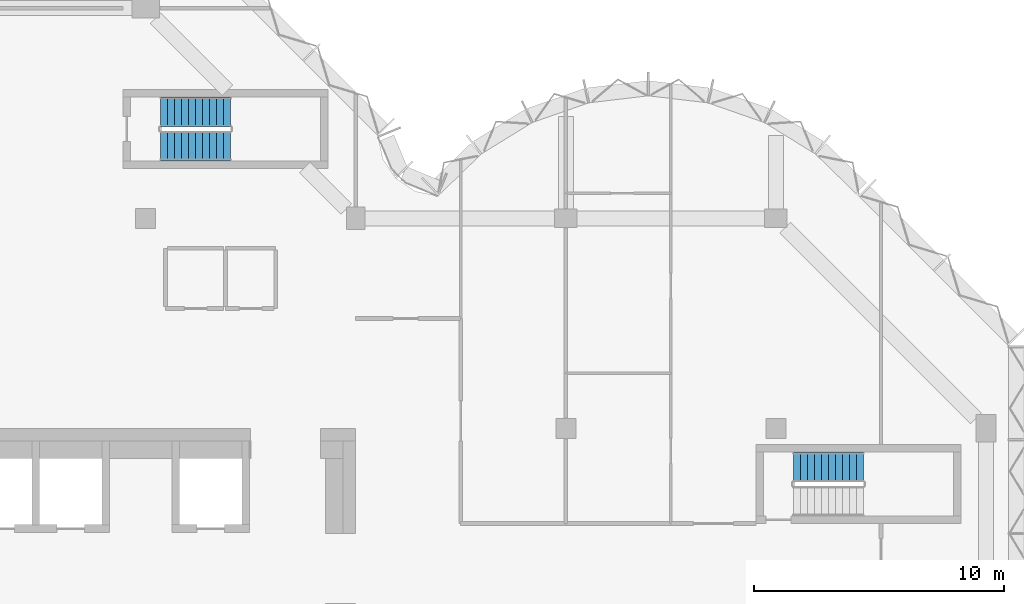
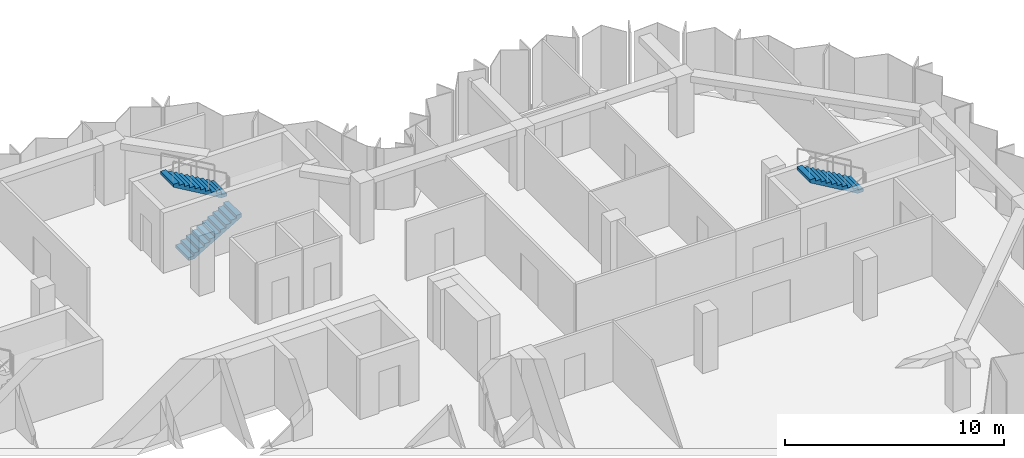
# One storey, part 7 of 9: 3 stair flights, 2 elements without a shape of their own.
"""IFC4 building model written with IfcOpenShell, lengths in metres."""

from ifc_helpers import new_model, si_unit, direction, frame, origin, place, context, subcontext, project, spatial, polyline, outline, extrude, material, type_object, element, aggregate, save


model = new_model("IFC4")

# Units and contexts
model_context = context("Model", 3, precision=1e-05, world=origin(), true_north=direction((0.0, 1.0)))
body_context = subcontext(model_context, "Body", "Model", "MODEL_VIEW")
ifc_project = project(units=[si_unit("LENGTHUNIT", "METRE"), si_unit("AREAUNIT", "SQUARE_METRE"), si_unit("VOLUMEUNIT", "CUBIC_METRE"), si_unit("PLANEANGLEUNIT", "RADIAN"), si_unit("MASSUNIT", "GRAM", prefix="KILO")], contexts=[model_context])

# Site, building, storey
site_placement = place(None, origin())
site = spatial("IfcSite", under=ifc_project, at=site_placement, CompositionType="ELEMENT")
building_placement = place(site_placement, origin())
building = spatial("IfcBuilding", under=site, at=building_placement, Name="Brevane Broadcast Tower", CompositionType="ELEMENT")
storey_placement = place(building_placement, frame((0.0, 0.0, 240.89990234375)))
storey = spatial("IfcBuildingStorey", under=building, at=storey_placement, Name="L61", CompositionType="ELEMENT", Elevation=240.89990234375)

# Stair, stair flights
ifc_material = material(Name="Concrete C50/60", Category="concrete")
stair_type = type_object("IfcStairType", Name="Exit stair 22 risers", PredefinedType="HALF_TURN_STAIR", material=ifc_material)
stair_1_placement = place(storey_placement, origin())
stair_1 = element("IfcStair", 1, at=stair_1_placement, inside=storey, type_object=stair_type, Name="L61 Exit stair ST-3", PredefinedType="HALF_TURN_STAIR")
stair_flight_type = type_object("IfcStairFlightType", Name="Exit stair flight 22 risers", PredefinedType="STRAIGHT", material=ifc_material)
stair_flight_1_placement = place(storey_placement, frame((17.39990234375, 28.10009765625, 0.0), z_axis=(0.0, 0.0, 1.0), x_axis=(1.0, 0.0, 0.0)))
stair_flight_1 = element("IfcStairFlight", 2, at=stair_flight_1_placement, type_object=stair_flight_type, Name="ST-3 flight 1", NumberOfRisers=11, NumberOfTreads=10, PredefinedType="STRAIGHT", RiserHeight=0.163636364, TreadLength=0.28, context=body_context, shape_type="SweptSolid", body=[
    extrude(outline(polyline([(0.0, 0.0), (0.0, 0.16357421875), (0.280029296875, 0.16357421875), (0.280029296875, 0.327392578125), (0.56005859375, 0.327392578125), (0.56005859375, 0.490966796875), (0.840087890625, 0.490966796875), (0.840087890625, 0.654541015625), (1.1201171875, 0.654541015625), (1.1201171875, 0.818115234375), (1.39990234375, 0.818115234375), (1.39990234375, 0.98193359375), (1.679931640625, 0.98193359375), (1.679931640625, 1.1455078125), (1.9599609375, 1.1455078125), (1.9599609375, 1.30908203125), (2.239990234375, 1.30908203125), (2.239990234375, 1.47265625), (2.52001953125, 1.47265625), (2.52001953125, 1.636474609375), (2.800048828125, 1.636474609375), (2.800048828125, 1.800048828125), (2.800048828125, 1.462646484375), (0.297119140625, 0.0), (0.0, 0.0)])), frame((0.0, 0.60009765625, 0.0), z_axis=(0.0, -1.0, 0.0), x_axis=(1.0, 0.0, 0.0)), (0.0, 0.0, 1.0), 1.199951171875),
])
stair_flight_2_placement = place(storey_placement, frame((20.199951171875, 29.449951171875, 1.800048828125), z_axis=(0.0, 0.0, 1.0), x_axis=(-1.0, 0.0, 0.0)))
stair_flight_2 = element("IfcStairFlight", 3, at=stair_flight_2_placement, type_object=stair_flight_type, Name="ST-3 flight 2", NumberOfRisers=11, NumberOfTreads=10, PredefinedType="STRAIGHT", RiserHeight=0.163636364, TreadLength=0.28, context=body_context, shape_type="SweptSolid", body=[
    extrude(outline(polyline([(0.0, 0.0), (0.0, 0.16357421875), (0.280029296875, 0.16357421875), (0.280029296875, 0.327392578125), (0.56005859375, 0.327392578125), (0.56005859375, 0.490966796875), (0.840087890625, 0.490966796875), (0.840087890625, 0.654541015625), (1.1201171875, 0.654541015625), (1.1201171875, 0.818115234375), (1.39990234375, 0.818115234375), (1.39990234375, 0.98193359375), (1.679931640625, 0.98193359375), (1.679931640625, 1.1455078125), (1.9599609375, 1.1455078125), (1.9599609375, 1.30908203125), (2.239990234375, 1.30908203125), (2.239990234375, 1.47265625), (2.52001953125, 1.47265625), (2.52001953125, 1.636474609375), (2.800048828125, 1.636474609375), (2.800048828125, 1.800048828125), (2.800048828125, 1.462646484375), (0.297119140625, 0.0), (0.0, 0.0)])), frame((0.0, 0.60009765625, 0.0), z_axis=(0.0, -1.0, 0.0), x_axis=(1.0, 0.0, 0.0)), (0.0, 0.0, 1.0), 1.199951171875),
])
aggregate(stair_1, [stair_flight_1, stair_flight_2])

# Stair, stair flight
stair_2_placement = place(storey_placement, origin())
stair_2 = element("IfcStair", 4, at=stair_2_placement, inside=storey, type_object=stair_type, Name="L61 Exit stair ST-4", PredefinedType="HALF_TURN_STAIR")
stair_flight_3_placement = place(storey_placement, frame((45.5, 15.25, 1.800048828125), z_axis=(0.0, 0.0, 1.0), x_axis=(-1.0, 0.0, 0.0)))
stair_flight_3 = element("IfcStairFlight", 5, at=stair_flight_3_placement, type_object=stair_flight_type, Name="ST-4 flight 2", NumberOfRisers=11, NumberOfTreads=10, PredefinedType="STRAIGHT", RiserHeight=0.163636364, TreadLength=0.28, context=body_context, shape_type="SweptSolid", body=[
    extrude(outline(polyline([(0.0, 0.0), (0.0, 0.16357421875), (0.280029296875, 0.16357421875), (0.280029296875, 0.327392578125), (0.56005859375, 0.327392578125), (0.56005859375, 0.490966796875), (0.840087890625, 0.490966796875), (0.840087890625, 0.654541015625), (1.1201171875, 0.654541015625), (1.1201171875, 0.818115234375), (1.39990234375, 0.818115234375), (1.39990234375, 0.98193359375), (1.679931640625, 0.98193359375), (1.679931640625, 1.1455078125), (1.9599609375, 1.1455078125), (1.9599609375, 1.30908203125), (2.239990234375, 1.30908203125), (2.239990234375, 1.47265625), (2.52001953125, 1.47265625), (2.52001953125, 1.636474609375), (2.800048828125, 1.636474609375), (2.800048828125, 1.800048828125), (2.800048828125, 1.462646484375), (0.297119140625, 0.0), (0.0, 0.0)])), frame((0.0, 0.60009765625, 0.0), z_axis=(0.0, -1.0, 0.0), x_axis=(1.0, 0.0, 0.0)), (0.0, 0.0, 1.0), 1.199951171875),
])
aggregate(stair_2, [stair_flight_3])

save(model, "model.ifc")
